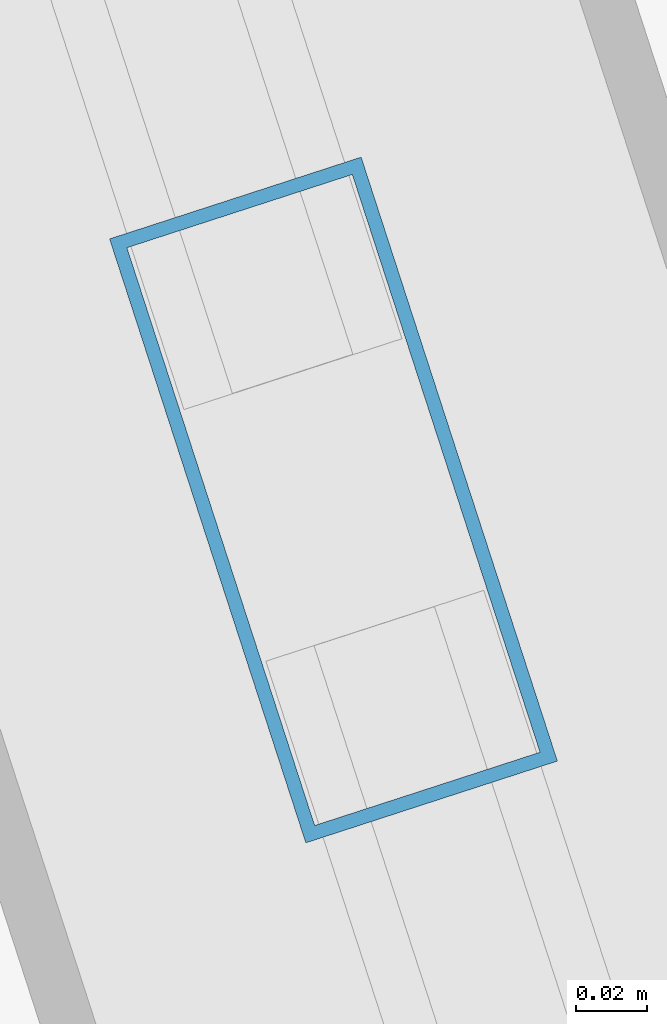
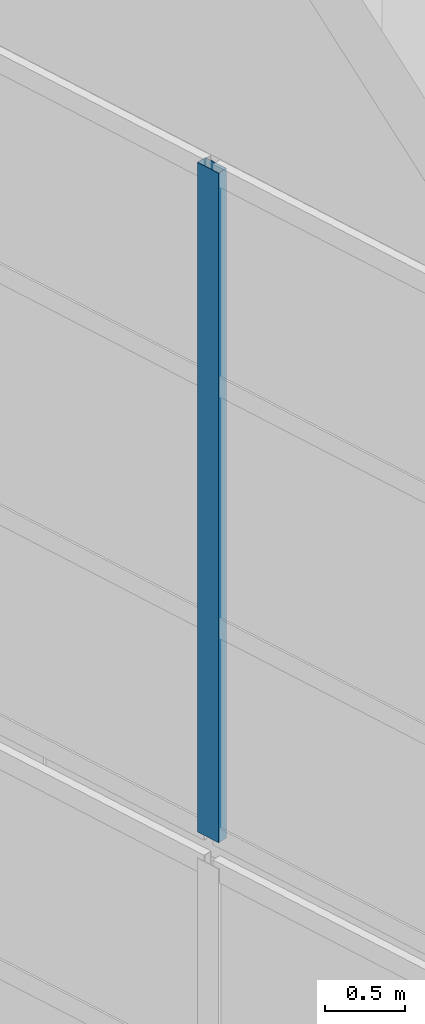
# One storey, part 20 of 56: 1 member, 1 element without a shape of its own.
"""IFC4 building model written with IfcOpenShell, lengths in metres."""

from ifc_helpers import new_model, si_unit, direction, frame, origin, origin_2d, place, context, subcontext, project, spatial, hollow_rectangle, extrude, material, layer, layer_set, material_profile, profile_set, type_object, element, aggregate, save


model = new_model("IFC4")

# Units and contexts
model_context = context("Model", 3, precision=1e-05, world=origin(), true_north=direction((0.0, 1.0)))
body_context = subcontext(model_context, "Body", "Model", "MODEL_VIEW")
ifc_project = project(units=[si_unit("LENGTHUNIT", "METRE"), si_unit("AREAUNIT", "SQUARE_METRE"), si_unit("VOLUMEUNIT", "CUBIC_METRE"), si_unit("PLANEANGLEUNIT", "RADIAN"), si_unit("MASSUNIT", "GRAM", prefix="KILO")], contexts=[model_context])

# Site, building, storey
site_placement = place(None, origin())
site = spatial("IfcSite", under=ifc_project, at=site_placement, CompositionType="ELEMENT")
building_placement = place(site_placement, origin())
building = spatial("IfcBuilding", under=site, at=building_placement, Name="Qiaolan Cultural Towers", CompositionType="ELEMENT")
storey_placement = place(building_placement, frame((0.0, 0.0, 250.39990234375)))
storey = spatial("IfcBuildingStorey", under=building, at=storey_placement, Name="L68", CompositionType="ELEMENT", Elevation=250.39990234375)

# Curtain wall, member
ifc_material_1 = material(Name="Unitized Anodized Aluminium Curtain Wall System", Category="aluminium")
ifc_layer = layer(ifc_material_1, 0.199951171875)
ifc_layer_set = layer_set([ifc_layer], Name="Unitized Anodized Aluminium Curtain Wall System")
curtain_wall_type = type_object("IfcCurtainWallType", Name="CWS-06", PredefinedType="NOTDEFINED", material=ifc_layer_set)
curtain_wall_placement = place(storey_placement, origin())
curtain_wall = element("IfcCurtainWall", 1, at=curtain_wall_placement, inside=storey, type_object=curtain_wall_type, Name="T2 Crown Tier 5 Fritted Screen Curtain Wall 7", PredefinedType="NOTDEFINED")
ifc_material_2 = material(Name="Extruded Aluminium 6063-T6", Category="aluminium")
ifc_material_profile = material_profile(ifc_material_2, hollow_rectangle(XDim=0.074951171875, YDim=0.179931640625, WallThickness=0.00390625, at=origin_2d()), Name="CWM-180x75x4")
ifc_profile_set = profile_set([ifc_material_profile], Name="Extruded Aluminium 6063-T6")
member_type = type_object("IfcMemberType", Name="CWS-06-MUL", PredefinedType="MULLION", material=ifc_profile_set)
member_placement = place(storey_placement, frame((77.421142578125, 27.89404296875, 21.300048828125), z_axis=(0.0, 0.0, 1.0), x_axis=(0.951056535512, 0.309016935232, 0.0)))
member = element("IfcMember", 2, at=member_placement, type_object=member_type, Name="CW-6 mullion 5", PredefinedType="MULLION", context=body_context, shape_type="SweptSolid", body=[
    extrude(hollow_rectangle(XDim=0.074951171875, YDim=0.179931640625, WallThickness=0.00390625, at=origin_2d()), origin(), (0.0, 0.0, 1.0), 5.10009765625),
])
aggregate(curtain_wall, [member])

save(model, "model.ifc")
